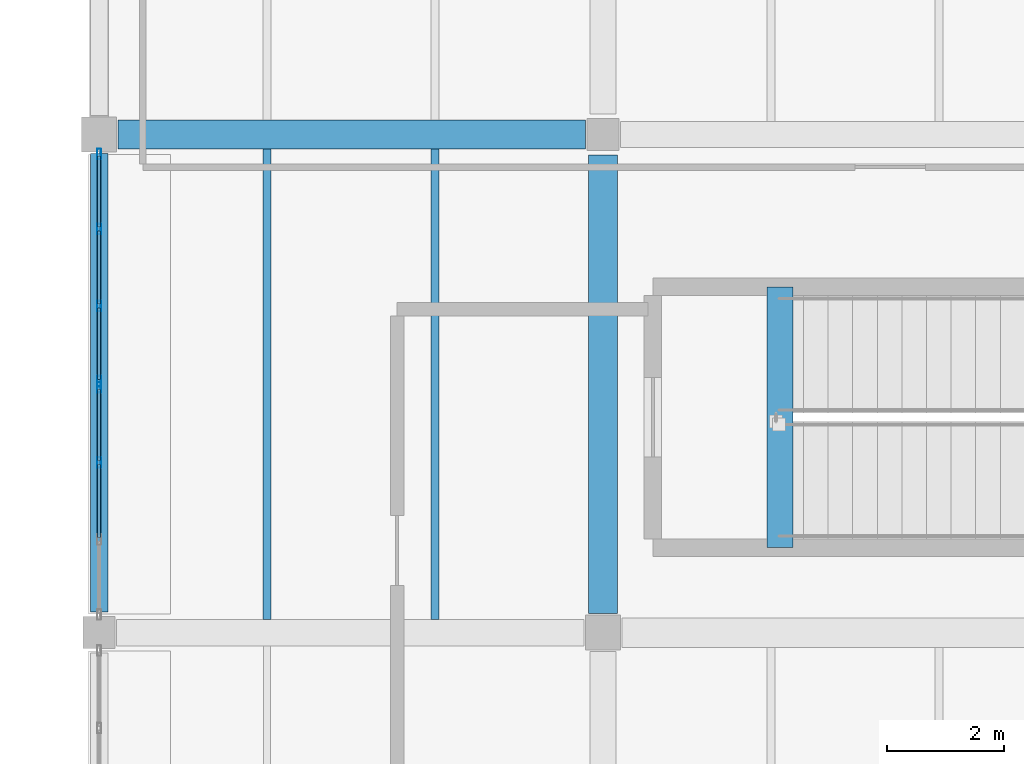
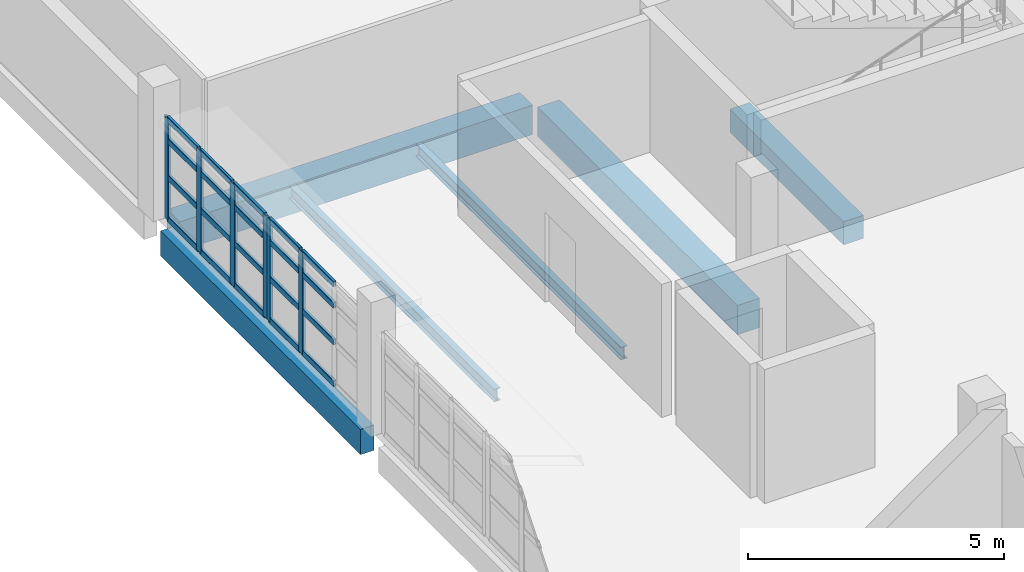
# One storey, part 12 of 55: 26 members, 6 beams, 2 elements without a shape of their own.
"""IFC4 building model written with IfcOpenShell, lengths in metres."""

from ifc_helpers import new_model, si_unit, direction, frame, origin, origin_2d, place, context, subcontext, project, spatial, rectangle, hollow_rectangle, i_section, extrude, material, material_profile, profile_set, type_object, element, aggregate, save


model = new_model("IFC4")

# Units and contexts
model_context = context("Model", 3, precision=1e-05, world=origin(), true_north=direction((0.0, 1.0)))
body_context = subcontext(model_context, "Body", "Model", "MODEL_VIEW")
ifc_project = project(units=[si_unit("LENGTHUNIT", "METRE"), si_unit("AREAUNIT", "SQUARE_METRE"), si_unit("VOLUMEUNIT", "CUBIC_METRE"), si_unit("PLANEANGLEUNIT", "RADIAN"), si_unit("MASSUNIT", "GRAM", prefix="KILO")], contexts=[model_context])

# Site, building, storey
site_placement = place(None, origin())
site = spatial("IfcSite", under=ifc_project, at=site_placement, CompositionType="ELEMENT")
building_placement = place(site_placement, origin())
building = spatial("IfcBuilding", under=site, at=building_placement, Name="Varnakota Cinema and Media Centre", CompositionType="ELEMENT")
storey_placement = place(building_placement, frame((0.0, 0.0, 15.60009765625)))
storey = spatial("IfcBuildingStorey", under=building, at=storey_placement, Name="L04", CompositionType="ELEMENT", Elevation=15.60009765625)

# Beams
ifc_material_1 = material(Name="Concrete M40", Category="concrete")
ifc_material_profile_1 = material_profile(ifc_material_1, rectangle(XDim=0.449951171875, YDim=0.550048828125, at=origin_2d()), Name="RCB 450x550")
ifc_profile_set_1 = profile_set([ifc_material_profile_1], Name="Concrete M40")
beam_type_1 = type_object("IfcBeamType", Name="BM-RC-450x550", PredefinedType="BEAM", material=ifc_profile_set_1)
beam_1_placement = place(storey_placement, frame((11.6201171875, 45.449951171875, -0.275146484375), z_axis=(0.0, 1.0, 0.0), x_axis=(-1.0, 0.0, 0.0)))
element("IfcBeam", 1, at=beam_1_placement, inside=storey, type_object=beam_type_1, Name="L04 ST-03 stair arrival trimmer beam", PredefinedType="BEAM", context=body_context, shape_type="SweptSolid", body=[
    extrude(rectangle(XDim=0.449951171875, YDim=0.550048828125, at=origin_2d()), origin(), (0.0, 0.0, 1.0), 4.449951171875),
])
ifc_material_2 = material(Name="Concrete M35", Category="concrete")
ifc_material_profile_2 = material_profile(ifc_material_2, rectangle(XDim=0.5, YDim=0.699951171875, at=origin_2d()), Name="RCB 500x700")
ifc_profile_set_2 = profile_set([ifc_material_profile_2], Name="Concrete M35")
beam_type_2 = type_object("IfcBeamType", Name="BM-RC-500x700", PredefinedType="BEAM", material=ifc_profile_set_2)
beam_2_placement = place(storey_placement, frame((0.324951171875, 52.5, -0.60009765625), z_axis=(1.0, 0.0, 0.0), x_axis=(0.0, 1.0, 0.0)))
element("IfcBeam", 2, at=beam_2_placement, inside=storey, type_object=beam_type_2, Name="L04 girder A-B/7", PredefinedType="BEAM", context=body_context, shape_type="SweptSolid", body=[
    extrude(rectangle(XDim=0.5, YDim=0.699951171875, at=origin_2d()), origin(), (0.0, 0.0, 1.0), 7.97509765625),
])
beam_3_placement = place(storey_placement, frame((8.60009765625, 44.324951171875, -0.60009765625), z_axis=(0.0, 1.0, 0.0), x_axis=(-1.0, 0.0, 0.0)))
element("IfcBeam", 3, at=beam_3_placement, inside=storey, type_object=beam_type_2, Name="L04 girder B/6-7", PredefinedType="BEAM", context=body_context, shape_type="SweptSolid", body=[
    extrude(rectangle(XDim=0.5, YDim=0.699951171875, at=origin_2d()), origin(), (0.0, 0.0, 1.0), 7.824951171875),
])
ifc_material_3 = material(Name="Concrete M35", Category="concrete")
ifc_material_profile_3 = material_profile(ifc_material_3, rectangle(XDim=0.300048828125, YDim=0.60009765625, at=origin_2d()), Name="RCB 300x600")
ifc_profile_set_3 = profile_set([ifc_material_profile_3], Name="Concrete M35")
beam_type_3 = type_object("IfcBeamType", Name="BM-SP-300x600", PredefinedType="SPANDREL", material=ifc_profile_set_3)
beam_4_placement = place(storey_placement, frame((0.0, 44.35009765625, -0.550048828125), z_axis=(0.0, 1.0, 0.0), x_axis=(-1.0, 0.0, 0.0)))
element("IfcBeam", 4, at=beam_4_placement, inside=storey, type_object=beam_type_3, Name="L04 girder A/6-7", PredefinedType="SPANDREL", context=body_context, shape_type="SweptSolid", body=[
    extrude(rectangle(XDim=0.300048828125, YDim=0.60009765625, at=origin_2d()), origin(), (0.0, 0.0, 1.0), 7.824951171875),
])
ifc_material_4 = material(Name="Structural steel Grade 350 (E350)", Category="steel")
ifc_material_profile_4 = material_profile(ifc_material_4, i_section(OverallWidth=0.139892578125, OverallDepth=0.300048828125, WebThickness=0.0078125, FlangeThickness=0.01318359375, FilletRadius=0.013916015625, at=origin_2d()), Name="ISMB 300")
ifc_profile_set_4 = profile_set([ifc_material_profile_4], Name="Structural steel Grade 350 (E350)")
beam_type_4 = type_object("IfcBeamType", Name="BM-ST-ISMB300", PredefinedType="JOIST", material=ifc_profile_set_4)
for number, where, z_axis, x_axis, name in (
    (5, (2.86669921875, 44.22509765625, -0.400146484375), (0.0, 1.0, 0.0), (-1.0, 0.0, 0.0), "L04 steel joist A-B/6-7 #1"),
    (6, (5.7333984375, 44.22509765625, -0.400146484375), (0.0, 1.0, 0.0), (-1.0, 0.0, 0.0), "L04 steel joist A-B/6-7 #2"),
):
    element("IfcBeam", number, at=place(storey_placement, frame(where, z_axis=z_axis, x_axis=x_axis)), inside=storey, type_object=beam_type_4, Name=name, PredefinedType="JOIST", context=body_context, shape_type="SweptSolid", body=[
        extrude(i_section(OverallWidth=0.139892578125, OverallDepth=0.300048828125, WebThickness=0.0078125, FlangeThickness=0.01318359375, FilletRadius=0.013916015625, at=origin_2d()), origin(), (0.0, 0.0, 1.0), 8.02490234375),
    ])

# Curtain wall, members
ifc_material_5 = material(Name="Thermally broken anodised aluminium AW-6063", Category="aluminium")
curtain_wall_type = type_object("IfcCurtainWallType", Name="CW-STD-394x244", PredefinedType="USERDEFINED", material=ifc_material_5)
curtain_wall_1_placement = place(storey_placement, origin())
curtain_wall_1 = element("IfcCurtainWall", 7, at=curtain_wall_1_placement, inside=storey, type_object=curtain_wall_type, Name="L04 curtain wall CW-L04-V5-W-02-1", ObjectType="UNITISED CURTAIN WALL", PredefinedType="USERDEFINED")
ifc_material_6 = material(Name="Thermally broken anodised aluminium AW-6063", Category="aluminium")
ifc_material_profile_5 = material_profile(ifc_material_6, hollow_rectangle(XDim=0.06494140625, YDim=0.179931640625, WallThickness=0.00390625, InnerFilletRadius=0.00390625, OuterFilletRadius=0.008056640625, at=origin_2d()), Name="AL-MULLION 180x65x4")
ifc_profile_set_5 = profile_set([ifc_material_profile_5], Name="Thermally broken anodised aluminium AW-6063")
member_type_1 = type_object("IfcMemberType", Name="CWM-AL-180", PredefinedType="MULLION", material=ifc_profile_set_5)
member_1_placement = place(storey_placement, frame((0.0, 52.16748046875, 0.0), z_axis=(0.0, 0.0, 1.0), x_axis=(1.0, 0.0, 0.0)))
member_1 = element("IfcMember", 8, at=member_1_placement, type_object=member_type_1, Name="CW50 mullion 1", PredefinedType="MULLION", context=body_context, shape_type="SweptSolid", body=[
    extrude(hollow_rectangle(XDim=0.06494140625, YDim=0.179931640625, WallThickness=0.00390625, InnerFilletRadius=0.00390625, OuterFilletRadius=0.008056640625, at=origin_2d()), origin(), (0.0, 0.0, 1.0), 2.434814453125),
])
member_2_placement = place(storey_placement, frame((0.0, 50.8857421875, 0.0), z_axis=(0.0, 0.0, 1.0), x_axis=(1.0, 0.0, 0.0)))
member_2 = element("IfcMember", 9, at=member_2_placement, type_object=member_type_1, Name="CW50 mullion 2", PredefinedType="MULLION", context=body_context, shape_type="SweptSolid", body=[
    extrude(hollow_rectangle(XDim=0.06494140625, YDim=0.179931640625, WallThickness=0.00390625, InnerFilletRadius=0.00390625, OuterFilletRadius=0.008056640625, at=origin_2d()), origin(), (0.0, 0.0, 1.0), 2.434814453125),
])
member_3_placement = place(storey_placement, frame((0.0, 49.57177734375, 0.0), z_axis=(0.0, 0.0, 1.0), x_axis=(1.0, 0.0, 0.0)))
member_3 = element("IfcMember", 10, at=member_3_placement, type_object=member_type_1, Name="CW50 mullion 3", PredefinedType="MULLION", context=body_context, shape_type="SweptSolid", body=[
    extrude(hollow_rectangle(XDim=0.06494140625, YDim=0.179931640625, WallThickness=0.00390625, InnerFilletRadius=0.00390625, OuterFilletRadius=0.008056640625, at=origin_2d()), origin(), (0.0, 0.0, 1.0), 2.434814453125),
])
member_4_placement = place(storey_placement, frame((0.0, 48.2900390625, 0.0), z_axis=(0.0, 0.0, 1.0), x_axis=(1.0, 0.0, 0.0)))
member_4 = element("IfcMember", 11, at=member_4_placement, type_object=member_type_1, Name="CW50 mullion 4", PredefinedType="MULLION", context=body_context, shape_type="SweptSolid", body=[
    extrude(hollow_rectangle(XDim=0.06494140625, YDim=0.179931640625, WallThickness=0.00390625, InnerFilletRadius=0.00390625, OuterFilletRadius=0.008056640625, at=origin_2d()), origin(), (0.0, 0.0, 1.0), 2.434814453125),
])

curtain_wall_2_placement = place(storey_placement, origin())
curtain_wall_2 = element("IfcCurtainWall", 12, at=curtain_wall_2_placement, inside=storey, type_object=curtain_wall_type, Name="L04 curtain wall CW-L04-V5-W-02-2", ObjectType="UNITISED CURTAIN WALL", PredefinedType="USERDEFINED")
member_5_placement = place(storey_placement, frame((0.0, 48.18505859375, 0.0), z_axis=(0.0, 0.0, 1.0), x_axis=(1.0, 0.0, 0.0)))
member_5 = element("IfcMember", 13, at=member_5_placement, type_object=member_type_1, Name="CW50 mullion 1", PredefinedType="MULLION", context=body_context, shape_type="SweptSolid", body=[
    extrude(hollow_rectangle(XDim=0.06494140625, YDim=0.179931640625, WallThickness=0.00390625, InnerFilletRadius=0.00390625, OuterFilletRadius=0.008056640625, at=origin_2d()), origin(), (0.0, 0.0, 1.0), 2.434814453125),
])
member_6_placement = place(storey_placement, frame((0.0, 46.9033203125, 0.0), z_axis=(0.0, 0.0, 1.0), x_axis=(1.0, 0.0, 0.0)))
member_6 = element("IfcMember", 14, at=member_6_placement, type_object=member_type_1, Name="CW50 mullion 2", PredefinedType="MULLION", context=body_context, shape_type="SweptSolid", body=[
    extrude(hollow_rectangle(XDim=0.06494140625, YDim=0.179931640625, WallThickness=0.00390625, InnerFilletRadius=0.00390625, OuterFilletRadius=0.008056640625, at=origin_2d()), origin(), (0.0, 0.0, 1.0), 2.434814453125),
])

# Member
ifc_material_7 = material(Name="Thermally broken anodised aluminium AW-6063", Category="aluminium")
ifc_material_profile_6 = material_profile(ifc_material_7, hollow_rectangle(XDim=0.06494140625, YDim=0.139892578125, WallThickness=0.00390625, InnerFilletRadius=0.00390625, OuterFilletRadius=0.008056640625, at=origin_2d()), Name="AL-TRANSOM 140x65x4")
ifc_profile_set_6 = profile_set([ifc_material_profile_6], Name="Thermally broken anodised aluminium AW-6063")
member_type_2 = type_object("IfcMemberType", Name="CWT-AL-140", PredefinedType="USERDEFINED", material=ifc_profile_set_6)
member_7_placement = place(storey_placement, frame((0.0, 52.135009765625, 0.032470703125), z_axis=(0.0, -1.0, 0.0), x_axis=(1.0, 0.0, 0.0)))
member_7 = element("IfcMember", 15, at=member_7_placement, type_object=member_type_2, Name="CW50 transom 1.1", ObjectType="TRANSOM", PredefinedType="USERDEFINED", context=body_context, shape_type="SweptSolid", body=[
    extrude(hollow_rectangle(XDim=0.06494140625, YDim=0.139892578125, WallThickness=0.00390625, InnerFilletRadius=0.00390625, OuterFilletRadius=0.008056640625, at=origin_2d()), origin(), (0.0, 0.0, 1.0), 1.216796875),
])

member_8_placement = place(storey_placement, frame((0.0, 52.135009765625, 1.022705078125), z_axis=(0.0, -1.0, 0.0), x_axis=(1.0, 0.0, 0.0)))
member_8 = element("IfcMember", 16, at=member_8_placement, type_object=member_type_2, Name="CW50 transom 1.2", ObjectType="TRANSOM", PredefinedType="USERDEFINED", context=body_context, shape_type="SweptSolid", body=[
    extrude(hollow_rectangle(XDim=0.06494140625, YDim=0.139892578125, WallThickness=0.00390625, InnerFilletRadius=0.00390625, OuterFilletRadius=0.008056640625, at=origin_2d()), origin(), (0.0, 0.0, 1.0), 1.216796875),
])

member_9_placement = place(storey_placement, frame((0.0, 52.135009765625, 1.899169921875), z_axis=(0.0, -1.0, 0.0), x_axis=(1.0, 0.0, 0.0)))
member_9 = element("IfcMember", 17, at=member_9_placement, type_object=member_type_2, Name="CW50 transom 1.3", ObjectType="TRANSOM", PredefinedType="USERDEFINED", context=body_context, shape_type="SweptSolid", body=[
    extrude(hollow_rectangle(XDim=0.06494140625, YDim=0.139892578125, WallThickness=0.00390625, InnerFilletRadius=0.00390625, OuterFilletRadius=0.008056640625, at=origin_2d()), origin(), (0.0, 0.0, 1.0), 1.216796875),
])

member_10_placement = place(storey_placement, frame((0.0, 52.135009765625, 2.40234375), z_axis=(0.0, -1.0, 0.0), x_axis=(1.0, 0.0, 0.0)))
member_10 = element("IfcMember", 18, at=member_10_placement, type_object=member_type_2, Name="CW50 transom 1.4", ObjectType="TRANSOM", PredefinedType="USERDEFINED", context=body_context, shape_type="SweptSolid", body=[
    extrude(hollow_rectangle(XDim=0.06494140625, YDim=0.139892578125, WallThickness=0.00390625, InnerFilletRadius=0.00390625, OuterFilletRadius=0.008056640625, at=origin_2d()), origin(), (0.0, 0.0, 1.0), 1.216796875),
])

member_11_placement = place(storey_placement, frame((0.0, 50.853271484375, 0.032470703125), z_axis=(0.0, -1.0, 0.0), x_axis=(1.0, 0.0, 0.0)))
member_11 = element("IfcMember", 19, at=member_11_placement, type_object=member_type_2, Name="CW50 transom 2.1", ObjectType="TRANSOM", PredefinedType="USERDEFINED", context=body_context, shape_type="SweptSolid", body=[
    extrude(hollow_rectangle(XDim=0.06494140625, YDim=0.139892578125, WallThickness=0.00390625, InnerFilletRadius=0.00390625, OuterFilletRadius=0.008056640625, at=origin_2d()), origin(), (0.0, 0.0, 1.0), 1.2490234375),
])

member_12_placement = place(storey_placement, frame((0.0, 50.853271484375, 1.022705078125), z_axis=(0.0, -1.0, 0.0), x_axis=(1.0, 0.0, 0.0)))
member_12 = element("IfcMember", 20, at=member_12_placement, type_object=member_type_2, Name="CW50 transom 2.2", ObjectType="TRANSOM", PredefinedType="USERDEFINED", context=body_context, shape_type="SweptSolid", body=[
    extrude(hollow_rectangle(XDim=0.06494140625, YDim=0.139892578125, WallThickness=0.00390625, InnerFilletRadius=0.00390625, OuterFilletRadius=0.008056640625, at=origin_2d()), origin(), (0.0, 0.0, 1.0), 1.2490234375),
])

member_13_placement = place(storey_placement, frame((0.0, 50.853271484375, 1.899169921875), z_axis=(0.0, -1.0, 0.0), x_axis=(1.0, 0.0, 0.0)))
member_13 = element("IfcMember", 21, at=member_13_placement, type_object=member_type_2, Name="CW50 transom 2.3", ObjectType="TRANSOM", PredefinedType="USERDEFINED", context=body_context, shape_type="SweptSolid", body=[
    extrude(hollow_rectangle(XDim=0.06494140625, YDim=0.139892578125, WallThickness=0.00390625, InnerFilletRadius=0.00390625, OuterFilletRadius=0.008056640625, at=origin_2d()), origin(), (0.0, 0.0, 1.0), 1.2490234375),
])

member_14_placement = place(storey_placement, frame((0.0, 50.853271484375, 2.40234375), z_axis=(0.0, -1.0, 0.0), x_axis=(1.0, 0.0, 0.0)))
member_14 = element("IfcMember", 22, at=member_14_placement, type_object=member_type_2, Name="CW50 transom 2.4", ObjectType="TRANSOM", PredefinedType="USERDEFINED", context=body_context, shape_type="SweptSolid", body=[
    extrude(hollow_rectangle(XDim=0.06494140625, YDim=0.139892578125, WallThickness=0.00390625, InnerFilletRadius=0.00390625, OuterFilletRadius=0.008056640625, at=origin_2d()), origin(), (0.0, 0.0, 1.0), 1.2490234375),
])

member_15_placement = place(storey_placement, frame((0.0, 49.5390625, 0.032470703125), z_axis=(0.0, -1.0, 0.0), x_axis=(1.0, 0.0, 0.0)))
member_15 = element("IfcMember", 23, at=member_15_placement, type_object=member_type_2, Name="CW50 transom 3.1", ObjectType="TRANSOM", PredefinedType="USERDEFINED", context=body_context, shape_type="SweptSolid", body=[
    extrude(hollow_rectangle(XDim=0.06494140625, YDim=0.139892578125, WallThickness=0.00390625, InnerFilletRadius=0.00390625, OuterFilletRadius=0.008056640625, at=origin_2d()), origin(), (0.0, 0.0, 1.0), 1.216552734375),
])

member_16_placement = place(storey_placement, frame((0.0, 49.5390625, 1.022705078125), z_axis=(0.0, -1.0, 0.0), x_axis=(1.0, 0.0, 0.0)))
member_16 = element("IfcMember", 24, at=member_16_placement, type_object=member_type_2, Name="CW50 transom 3.2", ObjectType="TRANSOM", PredefinedType="USERDEFINED", context=body_context, shape_type="SweptSolid", body=[
    extrude(hollow_rectangle(XDim=0.06494140625, YDim=0.139892578125, WallThickness=0.00390625, InnerFilletRadius=0.00390625, OuterFilletRadius=0.008056640625, at=origin_2d()), origin(), (0.0, 0.0, 1.0), 1.216552734375),
])

member_17_placement = place(storey_placement, frame((0.0, 49.5390625, 1.899169921875), z_axis=(0.0, -1.0, 0.0), x_axis=(1.0, 0.0, 0.0)))
member_17 = element("IfcMember", 25, at=member_17_placement, type_object=member_type_2, Name="CW50 transom 3.3", ObjectType="TRANSOM", PredefinedType="USERDEFINED", context=body_context, shape_type="SweptSolid", body=[
    extrude(hollow_rectangle(XDim=0.06494140625, YDim=0.139892578125, WallThickness=0.00390625, InnerFilletRadius=0.00390625, OuterFilletRadius=0.008056640625, at=origin_2d()), origin(), (0.0, 0.0, 1.0), 1.216552734375),
])

member_18_placement = place(storey_placement, frame((0.0, 49.5390625, 2.40234375), z_axis=(0.0, -1.0, 0.0), x_axis=(1.0, 0.0, 0.0)))
member_18 = element("IfcMember", 26, at=member_18_placement, type_object=member_type_2, Name="CW50 transom 3.4", ObjectType="TRANSOM", PredefinedType="USERDEFINED", context=body_context, shape_type="SweptSolid", body=[
    extrude(hollow_rectangle(XDim=0.06494140625, YDim=0.139892578125, WallThickness=0.00390625, InnerFilletRadius=0.00390625, OuterFilletRadius=0.008056640625, at=origin_2d()), origin(), (0.0, 0.0, 1.0), 1.216552734375),
])

aggregate(curtain_wall_1, [member_1, member_2, member_3, member_4, member_7, member_8, member_9, member_10, member_11, member_12, member_13, member_14, member_15, member_16, member_17, member_18])

member_19_placement = place(storey_placement, frame((0.0, 48.152587890625, 0.032470703125), z_axis=(0.0, -1.0, 0.0), x_axis=(1.0, 0.0, 0.0)))
member_19 = element("IfcMember", 27, at=member_19_placement, type_object=member_type_2, Name="CW50 transom 1.1", ObjectType="TRANSOM", PredefinedType="USERDEFINED", context=body_context, shape_type="SweptSolid", body=[
    extrude(hollow_rectangle(XDim=0.06494140625, YDim=0.139892578125, WallThickness=0.00390625, InnerFilletRadius=0.00390625, OuterFilletRadius=0.008056640625, at=origin_2d()), origin(), (0.0, 0.0, 1.0), 1.216796875),
])

member_20_placement = place(storey_placement, frame((0.0, 48.152587890625, 1.022705078125), z_axis=(0.0, -1.0, 0.0), x_axis=(1.0, 0.0, 0.0)))
member_20 = element("IfcMember", 28, at=member_20_placement, type_object=member_type_2, Name="CW50 transom 1.2", ObjectType="TRANSOM", PredefinedType="USERDEFINED", context=body_context, shape_type="SweptSolid", body=[
    extrude(hollow_rectangle(XDim=0.06494140625, YDim=0.139892578125, WallThickness=0.00390625, InnerFilletRadius=0.00390625, OuterFilletRadius=0.008056640625, at=origin_2d()), origin(), (0.0, 0.0, 1.0), 1.216796875),
])

member_21_placement = place(storey_placement, frame((0.0, 48.152587890625, 1.899169921875), z_axis=(0.0, -1.0, 0.0), x_axis=(1.0, 0.0, 0.0)))
member_21 = element("IfcMember", 29, at=member_21_placement, type_object=member_type_2, Name="CW50 transom 1.3", ObjectType="TRANSOM", PredefinedType="USERDEFINED", context=body_context, shape_type="SweptSolid", body=[
    extrude(hollow_rectangle(XDim=0.06494140625, YDim=0.139892578125, WallThickness=0.00390625, InnerFilletRadius=0.00390625, OuterFilletRadius=0.008056640625, at=origin_2d()), origin(), (0.0, 0.0, 1.0), 1.216796875),
])

member_22_placement = place(storey_placement, frame((0.0, 48.152587890625, 2.40234375), z_axis=(0.0, -1.0, 0.0), x_axis=(1.0, 0.0, 0.0)))
member_22 = element("IfcMember", 30, at=member_22_placement, type_object=member_type_2, Name="CW50 transom 1.4", ObjectType="TRANSOM", PredefinedType="USERDEFINED", context=body_context, shape_type="SweptSolid", body=[
    extrude(hollow_rectangle(XDim=0.06494140625, YDim=0.139892578125, WallThickness=0.00390625, InnerFilletRadius=0.00390625, OuterFilletRadius=0.008056640625, at=origin_2d()), origin(), (0.0, 0.0, 1.0), 1.216796875),
])

member_23_placement = place(storey_placement, frame((0.0, 46.870849609375, 0.032470703125), z_axis=(0.0, -1.0, 0.0), x_axis=(1.0, 0.0, 0.0)))
member_23 = element("IfcMember", 31, at=member_23_placement, type_object=member_type_2, Name="CW50 transom 2.1", ObjectType="TRANSOM", PredefinedType="USERDEFINED", context=body_context, shape_type="SweptSolid", body=[
    extrude(hollow_rectangle(XDim=0.06494140625, YDim=0.139892578125, WallThickness=0.00390625, InnerFilletRadius=0.00390625, OuterFilletRadius=0.008056640625, at=origin_2d()), origin(), (0.0, 0.0, 1.0), 1.249267578125),
])

member_24_placement = place(storey_placement, frame((0.0, 46.870849609375, 1.022705078125), z_axis=(0.0, -1.0, 0.0), x_axis=(1.0, 0.0, 0.0)))
member_24 = element("IfcMember", 32, at=member_24_placement, type_object=member_type_2, Name="CW50 transom 2.2", ObjectType="TRANSOM", PredefinedType="USERDEFINED", context=body_context, shape_type="SweptSolid", body=[
    extrude(hollow_rectangle(XDim=0.06494140625, YDim=0.139892578125, WallThickness=0.00390625, InnerFilletRadius=0.00390625, OuterFilletRadius=0.008056640625, at=origin_2d()), origin(), (0.0, 0.0, 1.0), 1.249267578125),
])

member_25_placement = place(storey_placement, frame((0.0, 46.870849609375, 1.899169921875), z_axis=(0.0, -1.0, 0.0), x_axis=(1.0, 0.0, 0.0)))
member_25 = element("IfcMember", 33, at=member_25_placement, type_object=member_type_2, Name="CW50 transom 2.3", ObjectType="TRANSOM", PredefinedType="USERDEFINED", context=body_context, shape_type="SweptSolid", body=[
    extrude(hollow_rectangle(XDim=0.06494140625, YDim=0.139892578125, WallThickness=0.00390625, InnerFilletRadius=0.00390625, OuterFilletRadius=0.008056640625, at=origin_2d()), origin(), (0.0, 0.0, 1.0), 1.249267578125),
])

member_26_placement = place(storey_placement, frame((0.0, 46.870849609375, 2.40234375), z_axis=(0.0, -1.0, 0.0), x_axis=(1.0, 0.0, 0.0)))
member_26 = element("IfcMember", 34, at=member_26_placement, type_object=member_type_2, Name="CW50 transom 2.4", ObjectType="TRANSOM", PredefinedType="USERDEFINED", context=body_context, shape_type="SweptSolid", body=[
    extrude(hollow_rectangle(XDim=0.06494140625, YDim=0.139892578125, WallThickness=0.00390625, InnerFilletRadius=0.00390625, OuterFilletRadius=0.008056640625, at=origin_2d()), origin(), (0.0, 0.0, 1.0), 1.249267578125),
])

aggregate(curtain_wall_2, [member_5, member_6, member_19, member_20, member_21, member_22, member_23, member_24, member_25, member_26])

save(model, "model.ifc")
